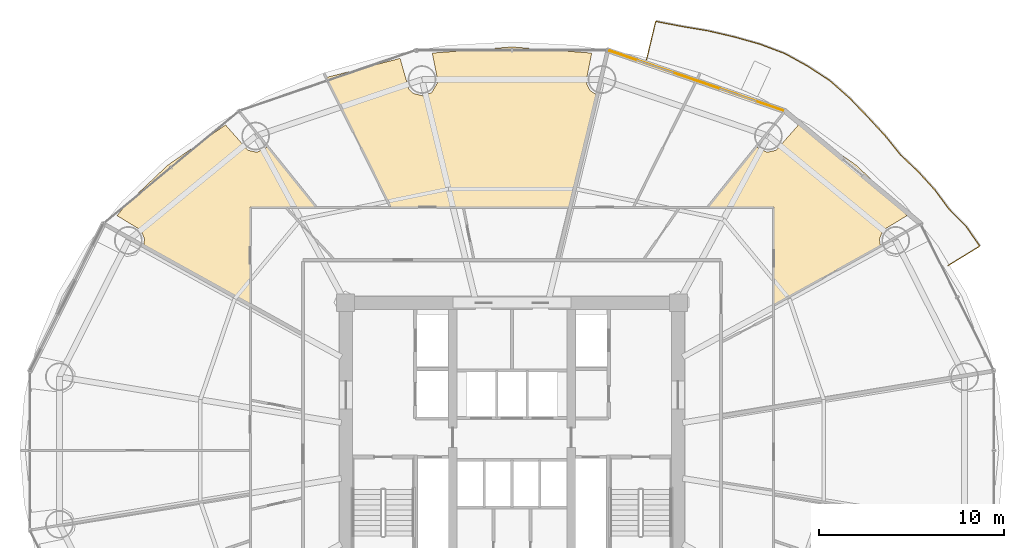
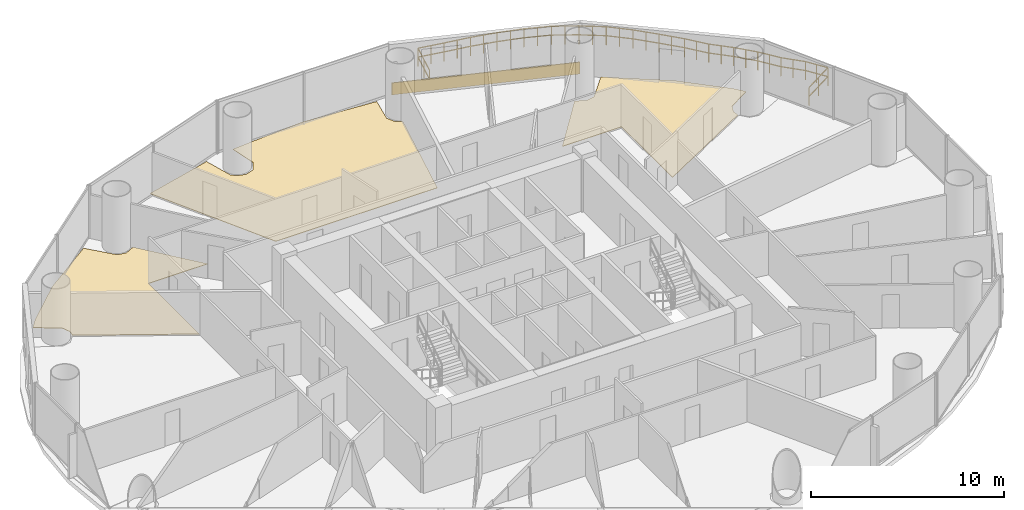
# One storey, part 28 of 28: 4 coverings, 1 railing.
"""IFC4 building model written with IfcOpenShell, lengths in metres."""

from ifc_helpers import new_model, si_unit, direction, frame, origin, origin_2d, place, context, subcontext, project, spatial, polyline, rectangle, outline, extrude, source, transform, mapped, material, layer, layer_set, type_object, element, save


model = new_model("IFC4")

# Units and contexts
model_context = context("Model", 3, precision=1e-05, world=origin(), true_north=direction((-0.2419218956, 0.970295726276)))
body_context = subcontext(model_context, "Body", "Model", "MODEL_VIEW")
ifc_project = project(units=[si_unit("LENGTHUNIT", "METRE"), si_unit("AREAUNIT", "SQUARE_METRE"), si_unit("VOLUMEUNIT", "CUBIC_METRE"), si_unit("PLANEANGLEUNIT", "RADIAN"), si_unit("MASSUNIT", "GRAM", prefix="KILO")], contexts=[model_context])

# Site, building, storey
site_placement = place(None, origin())
site = spatial("IfcSite", under=ifc_project, at=site_placement, CompositionType="ELEMENT")
building_placement = place(site_placement, origin())
building = spatial("IfcBuilding", under=site, at=building_placement, Name="Cobrevalo Terracotta Tower", CompositionType="ELEMENT")
storey_placement = place(building_placement, frame((0.0, 0.0, 108.60009765625)))
storey = spatial("IfcBuildingStorey", under=building, at=storey_placement, Name="L28", CompositionType="ELEMENT", Elevation=108.60009765625)

# Railing
ifc_material_1 = material(Name="Laminated structural glass and stainless steel", Category="steel")
railing_type = type_object("IfcRailingType", Name="Balcony lobe structural glass & terracotta-cap balustrade 1180 mm", PredefinedType="BALUSTRADE", material=ifc_material_1)
railing_placement = place(storey_placement, frame((61.5615234375, 36.790283203125, 0.0)))
element("IfcRailing", 1, at=railing_placement, inside=storey, type_object=railing_type, Name="L28 spiralling balcony lobe balustrade 1", PredefinedType="BALUSTRADE", context=body_context, shape_type="SweptSolid", body=[
    extrude(rectangle(XDim=0.048095703125, YDim=0.048095703125, at=origin_2d()), frame((0.0, 0.0, 1.15576171875), z_axis=(0.852273913913, 0.523095761465, 0.0), x_axis=(-0.523095761465, 0.852273913913, 0.0)), (0.0, 0.0, 1.0), 2.02685546875),
    extrude(rectangle(XDim=0.048095703125, YDim=0.048095703125, at=origin_2d()), frame((0.0, 0.0, 0.58984375), z_axis=(0.852273913913, 0.523095761465, 0.0), x_axis=(-0.523095761465, 0.852273913913, 0.0)), (0.0, 0.0, 1.0), 2.02685546875),
    extrude(rectangle(XDim=0.048095703125, YDim=0.048095703125, at=origin_2d()), frame((1.7275390625, 1.060302734375, 1.15576171875), z_axis=(-0.56849956882, 0.822683560217, 0.0), x_axis=(-0.822683560217, -0.56849956882, 0.0)), (0.0, 0.0, 1.0), 1.287109375),
    extrude(rectangle(XDim=0.048095703125, YDim=0.048095703125, at=origin_2d()), frame((1.7275390625, 1.060302734375, 0.58984375), z_axis=(-0.56849956882, 0.822683560217, 0.0), x_axis=(-0.822683560217, -0.56849956882, 0.0)), (0.0, 0.0, 1.0), 1.287109375),
    extrude(rectangle(XDim=0.048095703125, YDim=0.048095703125, at=origin_2d()), frame((0.995849609375, 2.119140625, 1.15576171875), z_axis=(-0.70227901407, 0.71190180952, 0.0), x_axis=(-0.71190180952, -0.70227901407, 0.0)), (0.0, 0.0, 1.0), 1.3193359375),
    extrude(rectangle(XDim=0.048095703125, YDim=0.048095703125, at=origin_2d()), frame((0.995849609375, 2.119140625, 0.58984375), z_axis=(-0.70227901407, 0.71190180952, 0.0), x_axis=(-0.71190180952, -0.70227901407, 0.0)), (0.0, 0.0, 1.0), 1.3193359375),
    extrude(rectangle(XDim=0.048095703125, YDim=0.048095703125, at=origin_2d()), frame((0.0693359375, 3.058349609375, 1.15576171875), z_axis=(-0.594264748325, 0.804269487733, 0.0), x_axis=(-0.804269487733, -0.594264748325, 0.0)), (0.0, 0.0, 1.0), 1.304443359375),
    extrude(rectangle(XDim=0.048095703125, YDim=0.048095703125, at=origin_2d()), frame((0.0693359375, 3.058349609375, 0.58984375), z_axis=(-0.594264748325, 0.804269487733, 0.0), x_axis=(-0.804269487733, -0.594264748325, 0.0)), (0.0, 0.0, 1.0), 1.304443359375),
    extrude(rectangle(XDim=0.048095703125, YDim=0.048095703125, at=origin_2d()), frame((-0.705810546875, 4.107421875, 1.15576171875), z_axis=(-0.673126300404, 0.739527540869, 0.0), x_axis=(-0.739527540869, -0.673126300404, 0.0)), (0.0, 0.0, 1.0), 1.3125),
    extrude(rectangle(XDim=0.048095703125, YDim=0.048095703125, at=origin_2d()), frame((-0.705810546875, 4.107421875, 0.58984375), z_axis=(-0.673126300404, 0.739527540869, 0.0), x_axis=(-0.739527540869, -0.673126300404, 0.0)), (0.0, 0.0, 1.0), 1.3125),
    extrude(rectangle(XDim=0.048095703125, YDim=0.048095703125, at=origin_2d()), frame((-1.58935546875, 5.078125, 1.15576171875), z_axis=(-0.725402595905, 0.688324831641, 0.0), x_axis=(-0.688324831641, -0.725402595905, 0.0)), (0.0, 0.0, 1.0), 1.330078125),
    extrude(rectangle(XDim=0.048095703125, YDim=0.048095703125, at=origin_2d()), frame((-1.58935546875, 5.078125, 0.58984375), z_axis=(-0.725402595905, 0.688324831641, 0.0), x_axis=(-0.688324831641, -0.725402595905, 0.0)), (0.0, 0.0, 1.0), 1.330078125),
    extrude(rectangle(XDim=0.048095703125, YDim=0.048095703125, at=origin_2d()), frame((-2.55419921875, 5.99365234375, 1.15576171875), z_axis=(-0.628303447606, 0.777968365505, 0.0), x_axis=(-0.777968365505, -0.628303447606, 0.0)), (0.0, 0.0, 1.0), 1.3505859375),
    extrude(rectangle(XDim=0.048095703125, YDim=0.048095703125, at=origin_2d()), frame((-2.55419921875, 5.99365234375, 0.58984375), z_axis=(-0.628303447606, 0.777968365505, 0.0), x_axis=(-0.777968365505, -0.628303447606, 0.0)), (0.0, 0.0, 1.0), 1.3505859375),
    extrude(rectangle(XDim=0.048095703125, YDim=0.048095703125, at=origin_2d()), frame((-3.40283203125, 7.04443359375, 1.15576171875), z_axis=(-0.679196656579, 0.733956335003, 0.0), x_axis=(-0.733956335003, -0.679196656579, 0.0)), (0.0, 0.0, 1.0), 1.382080078125),
    extrude(rectangle(XDim=0.048095703125, YDim=0.048095703125, at=origin_2d()), frame((-3.40283203125, 7.04443359375, 0.58984375), z_axis=(-0.679196656579, 0.733956335003, 0.0), x_axis=(-0.733956335003, -0.679196656579, 0.0)), (0.0, 0.0, 1.0), 1.382080078125),
    extrude(rectangle(XDim=0.048095703125, YDim=0.048095703125, at=origin_2d()), frame((-4.341552734375, 8.058837890625, 1.15576171875), z_axis=(-0.69411947724, 0.719859813655, 0.0), x_axis=(-0.719859813655, -0.69411947724, 0.0)), (0.0, 0.0, 1.0), 1.40380859375),
    extrude(rectangle(XDim=0.048095703125, YDim=0.048095703125, at=origin_2d()), frame((-4.341552734375, 8.058837890625, 0.58984375), z_axis=(-0.69411947724, 0.719859813655, 0.0), x_axis=(-0.719859813655, -0.69411947724, 0.0)), (0.0, 0.0, 1.0), 1.40380859375),
    extrude(rectangle(XDim=0.048095703125, YDim=0.048095703125, at=origin_2d()), frame((-5.31591796875, 9.0693359375, 1.15576171875), z_axis=(-0.748333294176, 0.663322908414, 0.0), x_axis=(-0.663322908414, -0.748333294176, 0.0)), (0.0, 0.0, 1.0), 1.4130859375),
    extrude(rectangle(XDim=0.048095703125, YDim=0.048095703125, at=origin_2d()), frame((-5.31591796875, 9.0693359375, 0.58984375), z_axis=(-0.748333294176, 0.663322908414, 0.0), x_axis=(-0.663322908414, -0.748333294176, 0.0)), (0.0, 0.0, 1.0), 1.4130859375),
    extrude(rectangle(XDim=0.048095703125, YDim=0.048095703125, at=origin_2d()), frame((-6.373291015625, 10.006591796875, 1.15576171875), z_axis=(-0.836661535999, 0.547720251752, 0.0), x_axis=(-0.547720251752, -0.836661535999, 0.0)), (0.0, 0.0, 1.0), 1.424560546875),
    extrude(rectangle(XDim=0.048095703125, YDim=0.048095703125, at=origin_2d()), frame((-6.373291015625, 10.006591796875, 0.58984375), z_axis=(-0.836661535999, 0.547720251752, 0.0), x_axis=(-0.547720251752, -0.836661535999, 0.0)), (0.0, 0.0, 1.0), 1.424560546875),
    extrude(rectangle(XDim=0.048095703125, YDim=0.048095703125, at=origin_2d()), frame((-7.565185546875, 10.786865234375, 1.15576171875), z_axis=(-0.875617707937, 0.483004792468, 0.0), x_axis=(-0.483004792468, -0.875617707937, 0.0)), (0.0, 0.0, 1.0), 1.42333984375),
    extrude(rectangle(XDim=0.048095703125, YDim=0.048095703125, at=origin_2d()), frame((-7.565185546875, 10.786865234375, 0.58984375), z_axis=(-0.875617707937, 0.483004792468, 0.0), x_axis=(-0.483004792468, -0.875617707937, 0.0)), (0.0, 0.0, 1.0), 1.42333984375),
    extrude(rectangle(XDim=0.048095703125, YDim=0.048095703125, at=origin_2d()), frame((-8.8115234375, 11.474365234375, 1.15576171875), z_axis=(-0.935799010679, 0.352533986463, 0.0), x_axis=(-0.352533986463, -0.935799010679, 0.0)), (0.0, 0.0, 1.0), 1.441162109375),
    extrude(rectangle(XDim=0.048095703125, YDim=0.048095703125, at=origin_2d()), frame((-8.8115234375, 11.474365234375, 0.58984375), z_axis=(-0.935799010679, 0.352533986463, 0.0), x_axis=(-0.352533986463, -0.935799010679, 0.0)), (0.0, 0.0, 1.0), 1.441162109375),
    extrude(rectangle(XDim=0.048095703125, YDim=0.048095703125, at=origin_2d()), frame((-10.16015625, 11.982421875, 1.15576171875), z_axis=(-0.962605559733, 0.270906877673, 0.0), x_axis=(-0.270906877673, -0.962605559733, 0.0)), (0.0, 0.0, 1.0), 1.446533203125),
    extrude(rectangle(XDim=0.048095703125, YDim=0.048095703125, at=origin_2d()), frame((-10.16015625, 11.982421875, 0.58984375), z_axis=(-0.962605559733, 0.270906877673, 0.0), x_axis=(-0.270906877673, -0.962605559733, 0.0)), (0.0, 0.0, 1.0), 1.446533203125),
    extrude(rectangle(XDim=0.048095703125, YDim=0.048095703125, at=origin_2d()), frame((-11.552490234375, 12.374267578125, 1.15576171875), z_axis=(-0.974075850704, 0.226221654742, 0.0), x_axis=(-0.226221654742, -0.974075850704, 0.0)), (0.0, 0.0, 1.0), 1.439697265625),
    extrude(rectangle(XDim=0.048095703125, YDim=0.048095703125, at=origin_2d()), frame((-11.552490234375, 12.374267578125, 0.58984375), z_axis=(-0.974075850704, 0.226221654742, 0.0), x_axis=(-0.226221654742, -0.974075850704, 0.0)), (0.0, 0.0, 1.0), 1.439697265625),
    extrude(rectangle(XDim=0.048095703125, YDim=0.048095703125, at=origin_2d()), frame((-12.954833984375, 12.699951171875, 1.15576171875), z_axis=(-0.986023023787, 0.166609113082, 0.0), x_axis=(-0.166609113082, -0.986023023787, 0.0)), (0.0, 0.0, 1.0), 1.45068359375),
    extrude(rectangle(XDim=0.048095703125, YDim=0.048095703125, at=origin_2d()), frame((-12.954833984375, 12.699951171875, 0.58984375), z_axis=(-0.986023023787, 0.166609113082, 0.0), x_axis=(-0.166609113082, -0.986023023787, 0.0)), (0.0, 0.0, 1.0), 1.45068359375),
    extrude(rectangle(XDim=0.048095703125, YDim=0.048095703125, at=origin_2d()), frame((-14.38525390625, 12.941650390625, 1.15576171875), z_axis=(-0.982177265694, 0.187956959842, 0.0), x_axis=(-0.187956959842, -0.982177265694, 0.0)), (0.0, 0.0, 1.0), 1.43408203125),
    extrude(rectangle(XDim=0.048095703125, YDim=0.048095703125, at=origin_2d()), frame((-14.38525390625, 12.941650390625, 0.58984375), z_axis=(-0.982177265694, 0.187956959842, 0.0), x_axis=(-0.187956959842, -0.982177265694, 0.0)), (0.0, 0.0, 1.0), 1.43408203125),
    extrude(rectangle(XDim=0.048095703125, YDim=0.048095703125, at=origin_2d()), frame((-15.793701171875, 13.211181640625, 1.15576171875), z_axis=(-0.231417770922, -0.972854467689, 0.0), x_axis=(0.972854467689, -0.231417770922, 0.0)), (0.0, 0.0, 1.0), 2.1162109375),
    extrude(rectangle(XDim=0.048095703125, YDim=0.048095703125, at=origin_2d()), frame((-15.793701171875, 13.211181640625, 0.58984375), z_axis=(-0.231417770922, -0.972854467689, 0.0), x_axis=(0.972854467689, -0.231417770922, 0.0)), (0.0, 0.0, 1.0), 2.1162109375),
    extrude(rectangle(XDim=0.0419921875, YDim=0.0419921875, at=origin_2d()), origin(), (0.0, 0.0, 1.0), 1.1318359375),
    extrude(rectangle(XDim=0.0419921875, YDim=0.0419921875, at=origin_2d()), frame((0.86376953125, 0.5302734375, 0.0)), (0.0, 0.0, 1.0), 1.1318359375),
    extrude(rectangle(XDim=0.0419921875, YDim=0.0419921875, at=origin_2d()), frame((1.7275390625, 1.060302734375, 0.0)), (0.0, 0.0, 1.0), 1.1318359375),
    extrude(rectangle(XDim=0.0419921875, YDim=0.0419921875, at=origin_2d()), frame((1.36181640625, 1.58984375, 0.0)), (0.0, 0.0, 1.0), 1.1318359375),
    extrude(rectangle(XDim=0.0419921875, YDim=0.0419921875, at=origin_2d()), frame((0.995849609375, 2.119140625, 0.0)), (0.0, 0.0, 1.0), 1.1318359375),
    extrude(rectangle(XDim=0.0419921875, YDim=0.0419921875, at=origin_2d()), frame((0.53271484375, 2.5888671875, 0.0)), (0.0, 0.0, 1.0), 1.1318359375),
    extrude(rectangle(XDim=0.0419921875, YDim=0.0419921875, at=origin_2d()), frame((0.0693359375, 3.058349609375, 0.0)), (0.0, 0.0, 1.0), 1.1318359375),
    extrude(rectangle(XDim=0.0419921875, YDim=0.0419921875, at=origin_2d()), frame((-0.318359375, 3.5830078125, 0.0)), (0.0, 0.0, 1.0), 1.1318359375),
    extrude(rectangle(XDim=0.0419921875, YDim=0.0419921875, at=origin_2d()), frame((-0.705810546875, 4.107421875, 0.0)), (0.0, 0.0, 1.0), 1.1318359375),
    extrude(rectangle(XDim=0.0419921875, YDim=0.0419921875, at=origin_2d()), frame((-1.1474609375, 4.5927734375, 0.0)), (0.0, 0.0, 1.0), 1.1318359375),
    extrude(rectangle(XDim=0.0419921875, YDim=0.0419921875, at=origin_2d()), frame((-1.58935546875, 5.078125, 0.0)), (0.0, 0.0, 1.0), 1.1318359375),
    extrude(rectangle(XDim=0.0419921875, YDim=0.0419921875, at=origin_2d()), frame((-2.07177734375, 5.535888671875, 0.0)), (0.0, 0.0, 1.0), 1.1318359375),
    extrude(rectangle(XDim=0.0419921875, YDim=0.0419921875, at=origin_2d()), frame((-2.55419921875, 5.99365234375, 0.0)), (0.0, 0.0, 1.0), 1.1318359375),
    extrude(rectangle(XDim=0.0419921875, YDim=0.0419921875, at=origin_2d()), frame((-2.978515625, 6.51904296875, 0.0)), (0.0, 0.0, 1.0), 1.1318359375),
    extrude(rectangle(XDim=0.0419921875, YDim=0.0419921875, at=origin_2d()), frame((-3.40283203125, 7.04443359375, 0.0)), (0.0, 0.0, 1.0), 1.1318359375),
    extrude(rectangle(XDim=0.0419921875, YDim=0.0419921875, at=origin_2d()), frame((-3.8720703125, 7.5517578125, 0.0)), (0.0, 0.0, 1.0), 1.1318359375),
    extrude(rectangle(XDim=0.0419921875, YDim=0.0419921875, at=origin_2d()), frame((-4.341552734375, 8.058837890625, 0.0)), (0.0, 0.0, 1.0), 1.1318359375),
    extrude(rectangle(XDim=0.0419921875, YDim=0.0419921875, at=origin_2d()), frame((-4.82861328125, 8.56396484375, 0.0)), (0.0, 0.0, 1.0), 1.1318359375),
    extrude(rectangle(XDim=0.0419921875, YDim=0.0419921875, at=origin_2d()), frame((-5.31591796875, 9.0693359375, 0.0)), (0.0, 0.0, 1.0), 1.1318359375),
    extrude(rectangle(XDim=0.0419921875, YDim=0.0419921875, at=origin_2d()), frame((-5.8447265625, 9.5380859375, 0.0)), (0.0, 0.0, 1.0), 1.1318359375),
    extrude(rectangle(XDim=0.0419921875, YDim=0.0419921875, at=origin_2d()), frame((-6.373291015625, 10.006591796875, 0.0)), (0.0, 0.0, 1.0), 1.1318359375),
    extrude(rectangle(XDim=0.0419921875, YDim=0.0419921875, at=origin_2d()), frame((-6.96923828125, 10.396728515625, 0.0)), (0.0, 0.0, 1.0), 1.1318359375),
    extrude(rectangle(XDim=0.0419921875, YDim=0.0419921875, at=origin_2d()), frame((-7.565185546875, 10.786865234375, 0.0)), (0.0, 0.0, 1.0), 1.1318359375),
    extrude(rectangle(XDim=0.0419921875, YDim=0.0419921875, at=origin_2d()), frame((-8.1884765625, 11.130615234375, 0.0)), (0.0, 0.0, 1.0), 1.1318359375),
    extrude(rectangle(XDim=0.0419921875, YDim=0.0419921875, at=origin_2d()), frame((-8.8115234375, 11.474365234375, 0.0)), (0.0, 0.0, 1.0), 1.1318359375),
    extrude(rectangle(XDim=0.0419921875, YDim=0.0419921875, at=origin_2d()), frame((-9.48583984375, 11.728515625, 0.0)), (0.0, 0.0, 1.0), 1.1318359375),
    extrude(rectangle(XDim=0.0419921875, YDim=0.0419921875, at=origin_2d()), frame((-10.16015625, 11.982421875, 0.0)), (0.0, 0.0, 1.0), 1.1318359375),
    extrude(rectangle(XDim=0.0419921875, YDim=0.0419921875, at=origin_2d()), frame((-10.8564453125, 12.17822265625, 0.0)), (0.0, 0.0, 1.0), 1.1318359375),
    extrude(rectangle(XDim=0.0419921875, YDim=0.0419921875, at=origin_2d()), frame((-11.552490234375, 12.374267578125, 0.0)), (0.0, 0.0, 1.0), 1.1318359375),
    extrude(rectangle(XDim=0.0419921875, YDim=0.0419921875, at=origin_2d()), frame((-12.253662109375, 12.537109375, 0.0)), (0.0, 0.0, 1.0), 1.1318359375),
    extrude(rectangle(XDim=0.0419921875, YDim=0.0419921875, at=origin_2d()), frame((-12.954833984375, 12.699951171875, 0.0)), (0.0, 0.0, 1.0), 1.1318359375),
    extrude(rectangle(XDim=0.0419921875, YDim=0.0419921875, at=origin_2d()), frame((-13.669921875, 12.82080078125, 0.0)), (0.0, 0.0, 1.0), 1.1318359375),
    extrude(rectangle(XDim=0.0419921875, YDim=0.0419921875, at=origin_2d()), frame((-14.38525390625, 12.941650390625, 0.0)), (0.0, 0.0, 1.0), 1.1318359375),
    extrude(rectangle(XDim=0.0419921875, YDim=0.0419921875, at=origin_2d()), frame((-15.08935546875, 13.076416015625, 0.0)), (0.0, 0.0, 1.0), 1.1318359375),
    extrude(rectangle(XDim=0.0419921875, YDim=0.0419921875, at=origin_2d()), frame((-15.793701171875, 13.211181640625, 0.0)), (0.0, 0.0, 1.0), 1.1318359375),
    extrude(rectangle(XDim=0.0419921875, YDim=0.0419921875, at=origin_2d()), frame((-16.03857421875, 12.181640625, 0.0)), (0.0, 0.0, 1.0), 1.1318359375),
    extrude(rectangle(XDim=0.0419921875, YDim=0.0419921875, at=origin_2d()), frame((-16.283447265625, 11.15234375, 0.0)), (0.0, 0.0, 1.0), 1.1318359375),
])

# Coverings
ifc_material_2 = material(Name="Engineered Brazilian hardwood flooring", Category="wood")
ifc_layer_1 = layer(ifc_material_2, 0.028076171875)
ifc_layer_set_1 = layer_set([ifc_layer_1], Name="Engineered Brazilian hardwood flooring")
covering_type_1 = type_object("IfcCoveringType", Name="Engineered Hardwood Suite Flooring 28", PredefinedType="FLOORING", material=ifc_layer_set_1)
covering_1_placement = place(storey_placement, origin())
element("IfcCovering", 2, at=covering_1_placement, inside=storey, type_object=covering_type_1, Name="Flat L28A Master Bedroom floor finish", PredefinedType="FLOORING", context=body_context, shape_type="SweptSolid", body=[
    extrude(outline(polyline([(56.6123046875, 42.227783203125), (58.882080078125, 40.081787109375), (59.35302734375, 39.49755859375), (58.05908203125, 38.712890625), (57.868408203125, 38.23876953125), (57.916259765625, 37.879150390625), (52.1650390625, 34.6865234375), (52.1650390625, 39.965087890625), (48.61328125, 39.965087890625), (51.219970703125, 43.2060546875), (51.778076171875, 42.927490234375), (52.27880859375, 43.02880859375), (53.488525390625, 44.40673828125), (56.6123046875, 42.227783203125)])), origin(), (0.0, 0.0, 1.0), 0.02978515625),
])
covering_2_placement = place(storey_placement, origin())
element("IfcCovering", 3, at=covering_2_placement, inside=storey, type_object=covering_type_1, Name="Flat L28B Penthouse Living and Dining Room floor finish", PredefinedType="FLOORING", context=body_context, shape_type="SweptSolid", body=[
    extrude(outline(polyline([(31.94921875, 48.001953125), (32.421875, 46.337890625), (32.674560546875, 46.10546875), (33.169189453125, 45.977783203125), (33.651611328125, 46.146240234375), (34.002197265625, 46.721435546875), (33.6904296875, 48.2890625), (38.0, 48.619873046875), (42.3095703125, 48.2890625), (41.997802734375, 46.721435546875), (42.2197265625, 46.26123046875), (42.5830078125, 46.028564453125), (41.13134765625, 39.965087890625), (31.458740234375, 39.965087890625), (27.966552734375, 46.9697265625), (31.94921875, 48.001953125)])), origin(), (0.0, 0.0, 1.0), 0.02978515625),
])
covering_3_placement = place(storey_placement, origin())
element("IfcCovering", 4, at=covering_3_placement, inside=storey, type_object=covering_type_1, Name="Flat L28B Principal Guest Bedroom floor finish", PredefinedType="FLOORING", context=body_context, shape_type="SweptSolid", body=[
    extrude(outline(polyline([(22.511474609375, 44.40673828125), (23.72119140625, 43.02880859375), (24.221923828125, 42.927490234375), (24.780029296875, 43.2060546875), (27.38671875, 39.965087890625), (23.8349609375, 39.965087890625), (23.8349609375, 34.6865234375), (18.083740234375, 37.879150390625), (18.131591796875, 38.23876953125), (17.94091796875, 38.712890625), (16.64697265625, 39.49755859375), (17.117919921875, 40.081787109375), (19.3876953125, 42.227783203125), (22.511474609375, 44.40673828125)])), origin(), (0.0, 0.0, 1.0), 0.02978515625),
])
ifc_material_3 = material(Name="Glazed terracotta facade cladding tile", Category="masonry")
ifc_layer_2 = layer(ifc_material_3, 0.044921875)
ifc_layer_set_2 = layer_set([ifc_layer_2], Name="Glazed terracotta facade cladding tile")
covering_type_2 = type_object("IfcCoveringType", Name="Architectural terracotta rainscreen spandrel cladding 45 mm", PredefinedType="CLADDING", material=ifc_layer_set_2)
shared_shape = source(origin(), body_context, "Body", "SweptSolid", [
    extrude(rectangle(XDim=9.928955078125, YDim=0.044921875, at=origin_2d()), origin(), (0.0, 0.0, 1.0), 0.760009765625),
])
covering_4_placement = place(storey_placement, frame((47.972412109375, 46.79833984375, 0.0400390625), z_axis=(0.0, 0.0, 1.0), x_axis=(-0.945596395206, 0.325342062104, 0.0)))
element("IfcCovering", 5, at=covering_4_placement, inside=storey, type_object=covering_type_2, Name="L28 terracotta spandrel cladding S03", PredefinedType="CLADDING", context=body_context, shape_type="MappedRepresentation", body=[
    mapped(shared_shape, transform((0.0, 0.0, 0.0), scale=1.0)),
])

save(model, "model.ifc")
